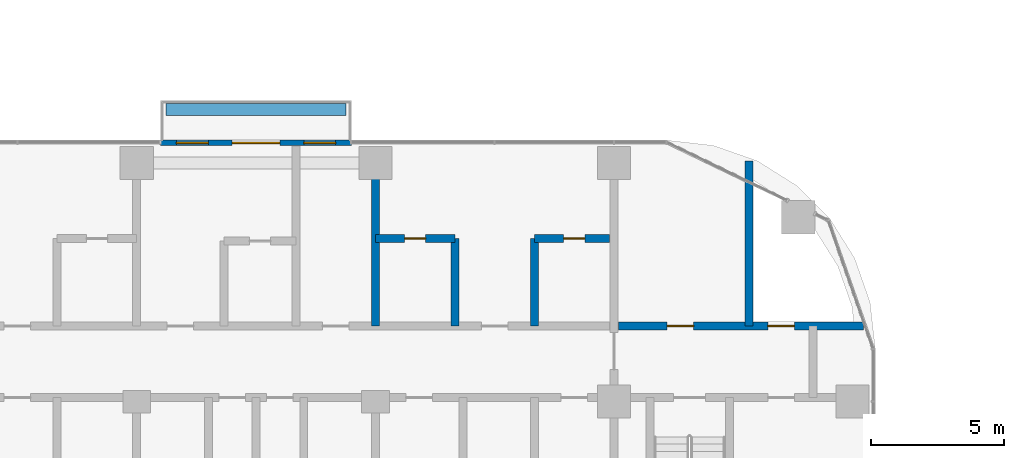
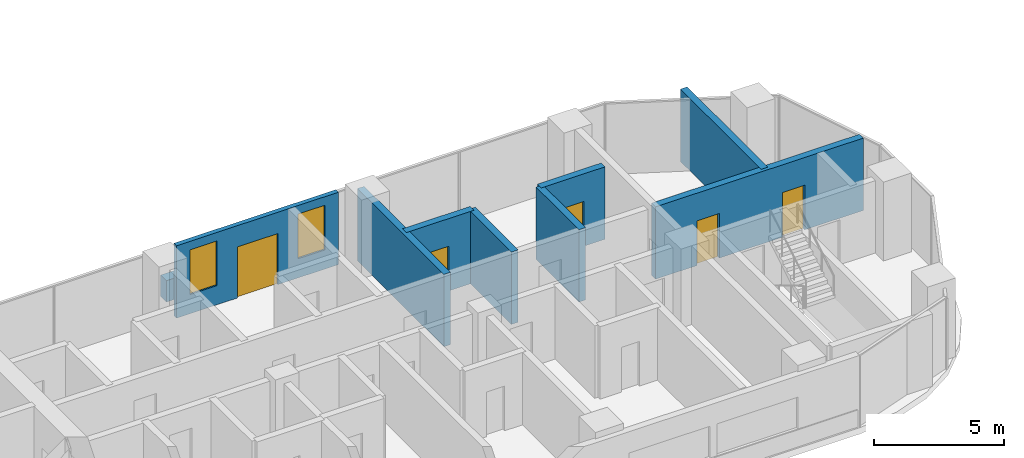
# One storey, part 21 of 35: 9 walls, 5 doors, 2 windows, 7 openings.
"""IFC4 building model written with IfcOpenShell, lengths in metres."""

from ifc_helpers import new_model, si_unit, direction, frame, frame_2d, origin, origin_2d, place, context, subcontext, project, spatial, rectangle, extrude, material, layer, layer_set, type_object, element, fill, save


model = new_model("IFC4")

# Units and contexts
model_context = context("Model", 3, precision=1e-05, world=origin(), true_north=direction((0.0, 1.0)))
body_context = subcontext(model_context, "Body", "Model", "MODEL_VIEW")
ifc_project = project(units=[si_unit("LENGTHUNIT", "METRE"), si_unit("AREAUNIT", "SQUARE_METRE"), si_unit("VOLUMEUNIT", "CUBIC_METRE"), si_unit("PLANEANGLEUNIT", "RADIAN"), si_unit("MASSUNIT", "GRAM", prefix="KILO")], contexts=[model_context])

# Site, building, storey
site_placement = place(None, origin())
site = spatial("IfcSite", under=ifc_project, at=site_placement, CompositionType="ELEMENT")
building_placement = place(site_placement, origin())
building = spatial("IfcBuilding", under=site, at=building_placement, Name="Ogive Portal Towers", CompositionType="ELEMENT")
storey_placement = place(building_placement, frame((0.0, 0.0, 90.800048828125)))
storey = spatial("IfcBuildingStorey", under=building, at=storey_placement, Name="L21", CompositionType="ELEMENT", Elevation=90.800048828125)

# Wall, openings, door, windows
ifc_material_1 = material(Name="Limestone cladding on lightweight block wall", Category="masonry")
ifc_layer_1 = layer(ifc_material_1, 0.199951171875)
ifc_layer_set_1 = layer_set([ifc_layer_1], Name="BALCONY BAY WALL 200")
wall_type_1 = type_object("IfcWallType", Name="BALCONY BAY WALL 200", PredefinedType="SOLIDWALL", material=ifc_layer_set_1)
wall_1_placement = place(storey_placement, frame((68.39990234375, 40.2548828125, 0.0), z_axis=(0.0, 0.0, 1.0), x_axis=(1.0, 0.0, 0.0)))
wall_1 = element("IfcWall", 1, at=wall_1_placement, inside=storey, type_object=wall_type_1, Name="A:L21:f11:bay0", PredefinedType="SOLIDWALL", context=body_context, shape_type="SweptSolid", body=[
    extrude(rectangle(XDim=7.2001953125, YDim=0.199951171875, at=frame_2d((3.60009765625, 0.0))), origin(), (0.0, 0.0, 1.0), 3.39990234375),
])
opening_1_placement = place(wall_1_placement, frame((2.699951171875, 0.0, 0.0)))
opening_1 = element("IfcOpeningElement", 2, at=opening_1_placement, cuts=wall_1, Name="Opening DX030", PredefinedType="OPENING", context=body_context, shape_type="SweptSolid", body=[
    extrude(rectangle(XDim=1.800048828125, YDim=2.39990234375, at=frame_2d((0.89990234375, 1.199951171875))), frame((0.0, 0.10986328125, 0.0), z_axis=(0.0, -1.0, 0.0), x_axis=(1.0, 0.0, 0.0)), (0.0, 0.0, 1.0), 0.219970703125),
])
opening_2_placement = place(wall_1_placement, frame((5.39990234375, 0.0, 0.89990234375)))
opening_2 = element("IfcOpeningElement", 3, at=opening_2_placement, cuts=wall_1, Name="Opening WN2", PredefinedType="OPENING", context=body_context, shape_type="SweptSolid", body=[
    extrude(rectangle(XDim=1.199951171875, YDim=2.10009765625, at=frame_2d((0.60009765625, 1.050048828125))), frame((0.0, 0.10986328125, 0.0), z_axis=(0.0, -1.0, 0.0), x_axis=(1.0, 0.0, 0.0)), (0.0, 0.0, 1.0), 0.219970703125),
])
opening_3_placement = place(wall_1_placement, frame((0.60009765625, 0.0, 0.89990234375)))
opening_3 = element("IfcOpeningElement", 4, at=opening_3_placement, cuts=wall_1, Name="Opening WN2", PredefinedType="OPENING", context=body_context, shape_type="SweptSolid", body=[
    extrude(rectangle(XDim=1.199951171875, YDim=2.10009765625, at=frame_2d((0.60009765625, 1.050048828125))), frame((0.0, 0.10986328125, 0.0), z_axis=(0.0, -1.0, 0.0), x_axis=(1.0, 0.0, 0.0)), (0.0, 0.0, 1.0), 0.219970703125),
])
ifc_material_2 = material(Name="Aluminium 6063 anodised", Category="aluminium")
door_type_1 = type_object("IfcDoorType", Name="BALCONY DOOR 1800x2400", OperationType="DOUBLE_DOOR_SINGLE_SWING", PredefinedType="DOOR", material=ifc_material_2)
door_1_placement = place(opening_1_placement, origin())
door_1 = element("IfcDoor", 5, at=door_1_placement, inside=storey, type_object=door_type_1, Name="A:L21:f11:bay0/o0", OperationType="SINGLE_SWING_LEFT", OverallHeight=2.39990234375, OverallWidth=1.800048828125, PredefinedType="DOOR", context=body_context, shape_type="SweptSolid", body=[
    extrude(rectangle(XDim=1.800048828125, YDim=2.39990234375, at=frame_2d((0.89990234375, 1.199951171875))), frame((0.0, 0.02490234375, 0.0), z_axis=(0.0, -1.0, 0.0), x_axis=(1.0, 0.0, 0.0)), (0.0, 0.0, 1.0), 0.050048828125),
])
fill(opening_1, door_1)
ifc_material_3 = material(Name="Glass, clear low-iron insulated glazing", Category="glass")
window_type = type_object("IfcWindowType", Name="WINDOW BALCONY BAY 1200x2100", PartitioningType="SINGLE_PANEL", PredefinedType="WINDOW", material=ifc_material_3)
window_1_placement = place(opening_2_placement, origin())
window_1 = element("IfcWindow", 6, at=window_1_placement, inside=storey, type_object=window_type, Name="A:L21:f11:bay0/o1", OverallHeight=2.10009765625, OverallWidth=1.199951171875, PartitioningType="SINGLE_PANEL", PredefinedType="WINDOW", context=body_context, shape_type="SweptSolid", body=[
    extrude(rectangle(XDim=1.199951171875, YDim=2.10009765625, at=frame_2d((0.60009765625, 1.050048828125))), frame((0.0, 0.030029296875, 0.0), z_axis=(0.0, -1.0, 0.0), x_axis=(1.0, 0.0, 0.0)), (0.0, 0.0, 1.0), 0.06005859375),
])
fill(opening_2, window_1)
window_2_placement = place(opening_3_placement, origin())
window_2 = element("IfcWindow", 7, at=window_2_placement, inside=storey, type_object=window_type, Name="A:L21:f11:bay0/o2", OverallHeight=2.10009765625, OverallWidth=1.199951171875, PartitioningType="SINGLE_PANEL", PredefinedType="WINDOW", context=body_context, shape_type="SweptSolid", body=[
    extrude(rectangle(XDim=1.199951171875, YDim=2.10009765625, at=frame_2d((0.60009765625, 1.050048828125))), frame((0.0, 0.030029296875, 0.0), z_axis=(0.0, -1.0, 0.0), x_axis=(1.0, 0.0, 0.0)), (0.0, 0.0, 1.0), 0.06005859375),
])
fill(opening_3, window_2)

# Wall
ifc_material_4 = material(Name="Concrete C40/50", Category="concrete")
ifc_layer_2 = layer(ifc_material_4, 0.449951171875)
ifc_layer_set_2 = layer_set([ifc_layer_2], Name="PLANTER WALL 450")
wall_type_2 = type_object("IfcWallType", Name="PLANTER WALL 450", PredefinedType="SOLIDWALL", material=ifc_layer_set_2)
wall_2_placement = place(storey_placement, frame((72.0, 41.510009765625, 0.0), z_axis=(0.0, 0.0, 1.0), x_axis=(1.0, 0.0, 0.0)))
element("IfcWall", 8, at=wall_2_placement, inside=storey, type_object=wall_type_2, Name="Planter T2", PredefinedType="SOLIDWALL", context=body_context, shape_type="SweptSolid", body=[
    extrude(rectangle(XDim=6.800048828125, YDim=0.449951171875, at=origin_2d()), origin(), (0.0, 0.0, 1.0), 1.0),
])

# Wall, openings, doors
ifc_material_5 = material(Name="Gypsum board partition on steel studs", Category="steel")
ifc_layer_3 = layer(ifc_material_5, 0.300048828125)
ifc_layer_set_3 = layer_set([ifc_layer_3], Name="WT-PART-300-EI 120")
wall_type_3 = type_object("IfcWallType", Name="WT-PART-300-EI 120", PredefinedType="PARTITIONING", material=ifc_layer_set_3)
wall_3_placement = place(storey_placement, frame((85.669921875, 33.35009765625, 0.0), z_axis=(0.0, 0.0, 1.0), x_axis=(1.0, 0.0, 0.0)))
wall_3 = element("IfcWall", 9, at=wall_3_placement, inside=storey, type_object=wall_type_3, Name="Wall L21:w010", PredefinedType="PARTITIONING", context=body_context, shape_type="SweptSolid", body=[
    extrude(rectangle(XDim=9.237060546875, YDim=0.300048828125, at=frame_2d((4.61865234375, 0.0))), origin(), (0.0, 0.0, 1.0), 3.39990234375),
])
opening_4_placement = place(wall_3_placement, frame((1.830078125, 0.0, 0.0)))
opening_4 = element("IfcOpeningElement", 10, at=opening_4_placement, cuts=wall_3, Name="Opening D07-062", PredefinedType="OPENING", context=body_context, shape_type="SweptSolid", body=[
    extrude(rectangle(XDim=1.0, YDim=2.10009765625, at=frame_2d((0.5, 1.050048828125))), frame((0.0, 0.16015625, 0.0), z_axis=(0.0, -1.0, 0.0), x_axis=(1.0, 0.0, 0.0)), (0.0, 0.0, 1.0), 0.320068359375),
])
opening_5_placement = place(wall_3_placement, frame((5.6298828125, 0.0, 0.0)))
opening_5 = element("IfcOpeningElement", 11, at=opening_5_placement, cuts=wall_3, Name="Opening D07-063", PredefinedType="OPENING", context=body_context, shape_type="SweptSolid", body=[
    extrude(rectangle(XDim=1.0, YDim=2.10009765625, at=frame_2d((0.5, 1.050048828125))), frame((0.0, 0.16015625, 0.0), z_axis=(0.0, -1.0, 0.0), x_axis=(1.0, 0.0, 0.0)), (0.0, 0.0, 1.0), 0.320068359375),
])
ifc_material_6 = material(Name="Steel fire door", Category="steel")
door_type_2 = type_object("IfcDoorType", Name="DT-SERVICE-1000x2100-FD90S", OperationType="SINGLE_SWING_LEFT", PredefinedType="DOOR", material=ifc_material_6)
door_2_placement = place(opening_4_placement, origin())
door_2 = element("IfcDoor", 12, at=door_2_placement, inside=storey, type_object=door_type_2, Name="Door D07-062", OperationType="SINGLE_SWING_LEFT", OverallHeight=2.10009765625, OverallWidth=1.0, PredefinedType="DOOR", context=body_context, shape_type="SweptSolid", body=[
    extrude(rectangle(XDim=1.0, YDim=2.10009765625, at=frame_2d((0.5, 1.050048828125))), frame((0.0, 0.02490234375, 0.0), z_axis=(0.0, -1.0, 0.0), x_axis=(1.0, 0.0, 0.0)), (0.0, 0.0, 1.0), 0.050048828125),
])
fill(opening_4, door_2)
door_3_placement = place(opening_5_placement, origin())
door_3 = element("IfcDoor", 13, at=door_3_placement, inside=storey, type_object=door_type_2, Name="Riser access door D07-063", OperationType="SINGLE_SWING_RIGHT", OverallHeight=2.10009765625, OverallWidth=1.0, PredefinedType="DOOR", context=body_context, shape_type="SweptSolid", body=[
    extrude(rectangle(XDim=1.0, YDim=2.10009765625, at=frame_2d((0.5, 1.050048828125))), frame((0.0, 0.02490234375, 0.0), z_axis=(0.0, -1.0, 0.0), x_axis=(1.0, 0.0, 0.0)), (0.0, 0.0, 1.0), 0.050048828125),
])
fill(opening_5, door_3)

# Wall, opening, door
ifc_layer_4 = layer(ifc_material_5, 0.300048828125)
ifc_layer_set_4 = layer_set([ifc_layer_4], Name="WT-PART-300-EI 60")
wall_type_4 = type_object("IfcWallType", Name="WT-PART-300-EI 60", PredefinedType="PARTITIONING", material=ifc_layer_set_4)
wall_4_placement = place(storey_placement, frame((76.5, 36.64990234375, 0.0), z_axis=(0.0, 0.0, 1.0), x_axis=(1.0, 0.0, 0.0)))
wall_4 = element("IfcWall", 14, at=wall_4_placement, inside=storey, type_object=wall_type_4, Name="Wall L21:w014", PredefinedType="PARTITIONING", context=body_context, shape_type="SweptSolid", body=[
    extrude(rectangle(XDim=3.0, YDim=0.300048828125, at=frame_2d((1.5, 0.0))), origin(), (0.0, 0.0, 1.0), 3.39990234375),
])
opening_6_placement = place(wall_4_placement, frame((1.10009765625, 0.0, 0.0)))
opening_6 = element("IfcOpeningElement", 15, at=opening_6_placement, cuts=wall_4, Name="Opening D07-039", PredefinedType="OPENING", context=body_context, shape_type="SweptSolid", body=[
    extrude(rectangle(XDim=0.800048828125, YDim=2.10009765625, at=frame_2d((0.39990234375, 1.050048828125))), frame((0.0, 0.16015625, 0.0), z_axis=(0.0, -1.0, 0.0), x_axis=(1.0, 0.0, 0.0)), (0.0, 0.0, 1.0), 0.320068359375),
])
door_type_3 = type_object("IfcDoorType", Name="DT-BATH-800x2100-FD60S", OperationType="SINGLE_SWING_LEFT", PredefinedType="DOOR", material=ifc_material_6)
door_4_placement = place(opening_6_placement, origin())
door_4 = element("IfcDoor", 16, at=door_4_placement, inside=storey, type_object=door_type_3, Name="Door D07-039", OperationType="SINGLE_SWING_RIGHT", OverallHeight=2.10009765625, OverallWidth=0.800048828125, PredefinedType="DOOR", context=body_context, shape_type="SweptSolid", body=[
    extrude(rectangle(XDim=0.800048828125, YDim=2.10009765625, at=frame_2d((0.39990234375, 1.050048828125))), frame((0.0, 0.02490234375, 0.0), z_axis=(0.0, -1.0, 0.0), x_axis=(1.0, 0.0, 0.0)), (0.0, 0.0, 1.0), 0.050048828125),
])
fill(opening_6, door_4)

wall_5_placement = place(storey_placement, frame((82.5, 36.64990234375, 0.0), z_axis=(0.0, 0.0, 1.0), x_axis=(1.0, 0.0, 0.0)))
wall_5 = element("IfcWall", 17, at=wall_5_placement, inside=storey, type_object=wall_type_4, Name="Wall L21:w015", PredefinedType="PARTITIONING", context=body_context, shape_type="SweptSolid", body=[
    extrude(rectangle(XDim=2.830078125, YDim=0.300048828125, at=frame_2d((1.4150390625, 0.0))), origin(), (0.0, 0.0, 1.0), 3.39990234375),
])
opening_7_placement = place(wall_5_placement, frame((1.10009765625, 0.0, 0.0)))
opening_7 = element("IfcOpeningElement", 18, at=opening_7_placement, cuts=wall_5, Name="Opening D07-040", PredefinedType="OPENING", context=body_context, shape_type="SweptSolid", body=[
    extrude(rectangle(XDim=0.800048828125, YDim=2.10009765625, at=frame_2d((0.39990234375, 1.050048828125))), frame((0.0, 0.16015625, 0.0), z_axis=(0.0, -1.0, 0.0), x_axis=(1.0, 0.0, 0.0)), (0.0, 0.0, 1.0), 0.320068359375),
])
door_5_placement = place(opening_7_placement, origin())
door_5 = element("IfcDoor", 19, at=door_5_placement, inside=storey, type_object=door_type_3, Name="Door D07-040", OperationType="SINGLE_SWING_LEFT", OverallHeight=2.10009765625, OverallWidth=0.800048828125, PredefinedType="DOOR", context=body_context, shape_type="SweptSolid", body=[
    extrude(rectangle(XDim=0.800048828125, YDim=2.10009765625, at=frame_2d((0.39990234375, 1.050048828125))), frame((0.0, 0.02490234375, 0.0), z_axis=(0.0, -1.0, 0.0), x_axis=(1.0, 0.0, 0.0)), (0.0, 0.0, 1.0), 0.050048828125),
])
fill(opening_7, door_5)

# Walls
wall_6_placement = place(storey_placement, frame((76.5, 33.35009765625, 0.0), z_axis=(0.0, 0.0, 1.0), x_axis=(0.0, 1.0, 0.0)))
element("IfcWall", 20, at=wall_6_placement, inside=storey, type_object=wall_type_4, Name="Wall L21:w056", PredefinedType="PARTITIONING", context=body_context, shape_type="SweptSolid", body=[
    extrude(rectangle(XDim=6.65478515625, YDim=0.300048828125, at=frame_2d((3.327392578125, 0.0))), origin(), (0.0, 0.0, 1.0), 3.39990234375),
])
for number, where, z_axis, x_axis, name in (
    (21, (79.5, 33.35009765625, 0.0), (0.0, 0.0, 1.0), (0.0, 1.0, 0.0), "Wall L21:w057"),
    (22, (82.5, 33.35009765625, 0.0), (0.0, 0.0, 1.0), (0.0, 1.0, 0.0), "Wall L21:w060"),
):
    element("IfcWall", number, at=place(storey_placement, frame(where, z_axis=z_axis, x_axis=x_axis)), inside=storey, type_object=wall_type_4, Name=name, PredefinedType="PARTITIONING", context=body_context, shape_type="SweptSolid", body=[
        extrude(rectangle(XDim=3.2998046875, YDim=0.300048828125, at=frame_2d((1.64990234375, 0.0))), origin(), (0.0, 0.0, 1.0), 3.39990234375),
    ])
wall_7_placement = place(storey_placement, frame((90.60009765625, 33.35009765625, 0.0), z_axis=(0.0, 0.0, 1.0), x_axis=(0.0, 1.0, 0.0)))
element("IfcWall", 23, at=wall_7_placement, inside=storey, type_object=wall_type_4, Name="Wall L21:w063", PredefinedType="PARTITIONING", context=body_context, shape_type="SweptSolid", body=[
    extrude(rectangle(XDim=6.218994140625, YDim=0.300048828125, at=frame_2d((3.109375, 0.0))), origin(), (0.0, 0.0, 1.0), 3.39990234375),
])

save(model, "model.ifc")
